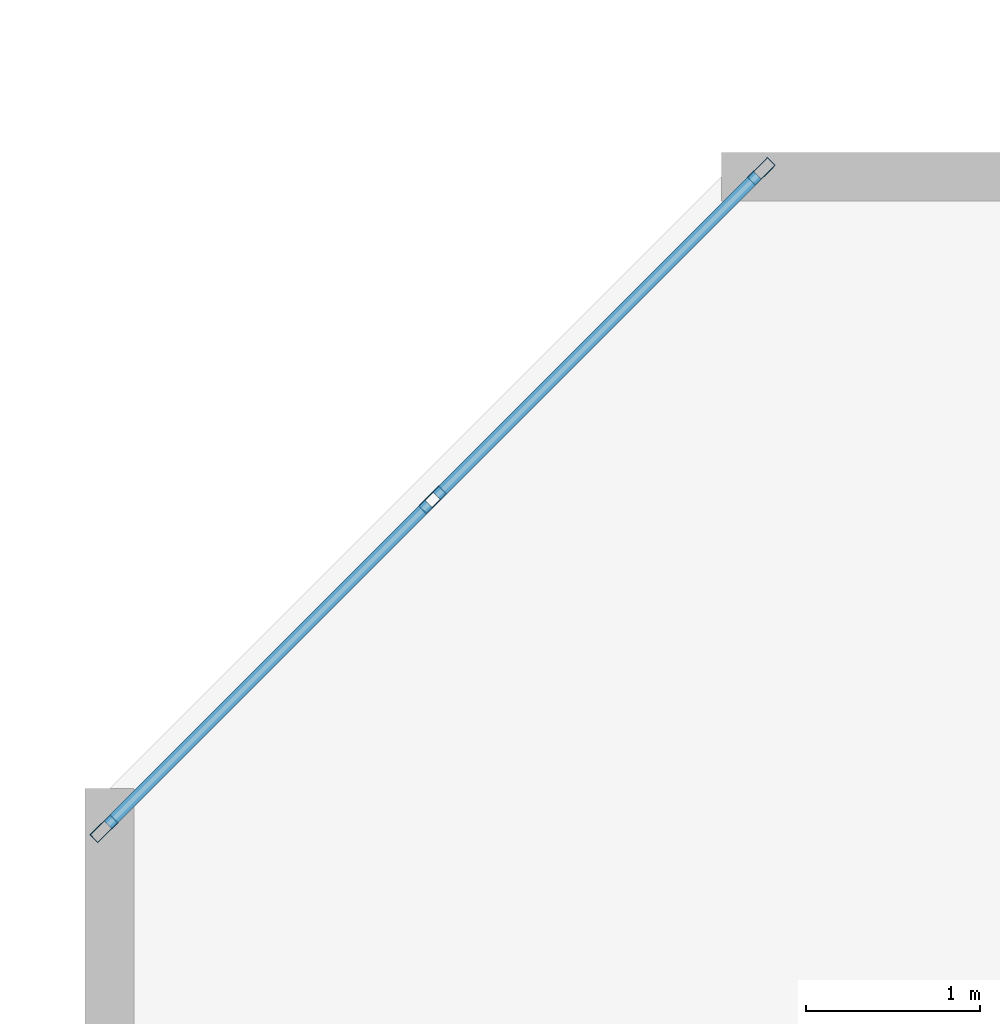
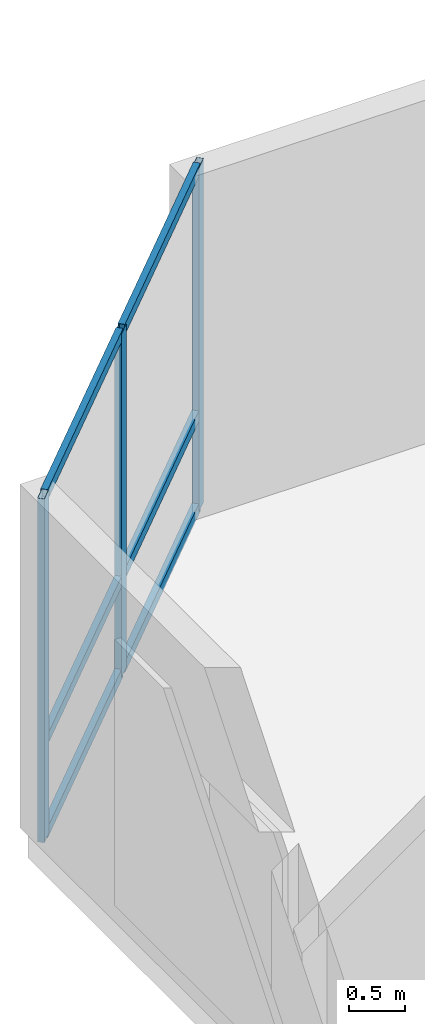
# One storey, part 2 of 10: 9 members, 1 element without a shape of its own.
"""IFC4 building model written with IfcOpenShell, lengths in metres."""

from ifc_helpers import new_model, si_unit, direction, frame, origin, origin_2d, place, context, subcontext, project, spatial, hollow_rectangle, extrude, material, layer, layer_set, material_profile, profile_set, type_object, element, aggregate, save


model = new_model("IFC4")

# Units and contexts
model_context = context("Model", 3, precision=1e-05, world=origin(), true_north=direction((0.0, 1.0)))
body_context = subcontext(model_context, "Body", "Model", "MODEL_VIEW")
ifc_project = project(units=[si_unit("LENGTHUNIT", "METRE"), si_unit("AREAUNIT", "SQUARE_METRE"), si_unit("VOLUMEUNIT", "CUBIC_METRE"), si_unit("PLANEANGLEUNIT", "RADIAN"), si_unit("MASSUNIT", "GRAM", prefix="KILO")], contexts=[model_context])

# Site, building, storey
site_placement = place(None, origin())
site = spatial("IfcSite", under=ifc_project, at=site_placement, CompositionType="ELEMENT")
building_placement = place(site_placement, origin())
building = spatial("IfcBuilding", under=site, at=building_placement, Name="Kestravale Grand Hotel", CompositionType="ELEMENT")
storey_placement = place(building_placement, frame((0.0, 0.0, 269.39990234375)))
storey = spatial("IfcBuildingStorey", under=building, at=storey_placement, Name="L67", CompositionType="ELEMENT", Elevation=269.39990234375)

# Curtain wall, members
ifc_material_1 = material(Name="Thermally broken champagne-bronze aluminium and low-E glazing", Category="aluminium")
ifc_layer = layer(ifc_material_1, 0.179931640625)
ifc_layer_set = layer_set([ifc_layer], Name="CW-Z4")
curtain_wall_type = type_object("IfcCurtainWallType", Name="CW-Z4", PredefinedType="NOTDEFINED", material=ifc_layer_set)
curtain_wall_placement = place(storey_placement, origin())
curtain_wall = element("IfcCurtainWall", 1, at=curtain_wall_placement, inside=storey, type_object=curtain_wall_type, Name="L67 unitised curtain wall 18", PredefinedType="NOTDEFINED")
ifc_material_2 = material(Name="Aluminium 6063-T6 anodised", Category="aluminium")
ifc_material_profile_1 = material_profile(ifc_material_2, hollow_rectangle(XDim=0.06494140625, YDim=0.1650390625, WallThickness=0.00341796875, at=origin_2d()))
ifc_profile_set_1 = profile_set([ifc_material_profile_1], Name="Aluminium 6063-T6 anodised")
member_type_1 = type_object("IfcMemberType", Name="CW-MUL-165", PredefinedType="MULLION", material=ifc_profile_set_1)
member_1_placement = place(storey_placement, frame((11.690185546875, 44.59228515625, 0.0), z_axis=(0.0, 0.0, 1.0), x_axis=(0.707106781187, -0.707106781187, 0.0)))
member_1 = element("IfcMember", 2, at=member_1_placement, type_object=member_type_1, Name="CW-Z4 mullion 1", PredefinedType="MULLION", context=body_context, shape_type="SweptSolid", body=[
    extrude(hollow_rectangle(XDim=0.06494140625, YDim=0.1650390625, WallThickness=0.00341796875, at=origin_2d()), origin(), (0.0, 0.0, 1.0), 3.760009765625),
])
member_2_placement = place(storey_placement, frame((9.799072265625, 42.700927734375, 0.0), z_axis=(0.0, 0.0, 1.0), x_axis=(0.707106781187, -0.707106781187, 0.0)))
member_2 = element("IfcMember", 3, at=member_2_placement, type_object=member_type_1, Name="CW-Z4 mullion 2", PredefinedType="MULLION", context=body_context, shape_type="SweptSolid", body=[
    extrude(hollow_rectangle(XDim=0.06494140625, YDim=0.1650390625, WallThickness=0.00341796875, at=origin_2d()), origin(), (0.0, 0.0, 1.0), 3.760009765625),
])
member_3_placement = place(storey_placement, frame((7.90771484375, 40.809814453125, 0.0), z_axis=(0.0, 0.0, 1.0), x_axis=(0.707106781187, -0.707106781187, 0.0)))
member_3 = element("IfcMember", 4, at=member_3_placement, type_object=member_type_1, Name="CW-Z4 mullion 3", PredefinedType="MULLION", context=body_context, shape_type="SweptSolid", body=[
    extrude(hollow_rectangle(XDim=0.06494140625, YDim=0.1650390625, WallThickness=0.00341796875, at=origin_2d()), origin(), (0.0, 0.0, 1.0), 3.760009765625),
])
ifc_material_3 = material(Name="Aluminium 6063-T6 anodised", Category="aluminium")
ifc_material_profile_2 = material_profile(ifc_material_3, hollow_rectangle(XDim=0.06494140625, YDim=0.114990234375, WallThickness=0.003173828125, at=origin_2d()))
ifc_profile_set_2 = profile_set([ifc_material_profile_2], Name="Aluminium 6063-T6 anodised")
member_type_2 = type_object("IfcMemberType", Name="CW-TRN-115", PredefinedType="USERDEFINED", material=ifc_profile_set_2)
member_4_placement = place(storey_placement, frame((11.667236328125, 44.5693359375, 0.03271484375), z_axis=(-0.707060004037, -0.707153555242, 0.0), x_axis=(0.707153555242, -0.707060004037, 0.0)))
member_4 = element("IfcMember", 5, at=member_4_placement, type_object=member_type_2, Name="CW-Z4 transom 1.1", ObjectType="TRANSOM", PredefinedType="USERDEFINED", context=body_context, shape_type="SweptSolid", body=[
    extrude(hollow_rectangle(XDim=0.06494140625, YDim=0.114990234375, WallThickness=0.003173828125, at=origin_2d()), origin(), (0.0, 0.0, 1.0), 2.609619140625),
])
member_5_placement = place(storey_placement, frame((11.667236328125, 44.5693359375, 1.050048828125), z_axis=(-0.707060004037, -0.707153555242, 0.0), x_axis=(0.707153555242, -0.707060004037, 0.0)))
member_5 = element("IfcMember", 6, at=member_5_placement, type_object=member_type_2, Name="CW-Z4 transom 1.2", ObjectType="TRANSOM", PredefinedType="USERDEFINED", context=body_context, shape_type="SweptSolid", body=[
    extrude(hollow_rectangle(XDim=0.06494140625, YDim=0.114990234375, WallThickness=0.003173828125, at=origin_2d()), origin(), (0.0, 0.0, 1.0), 2.609619140625),
])
member_6_placement = place(storey_placement, frame((11.667236328125, 44.5693359375, 3.7275390625), z_axis=(-0.707060004037, -0.707153555242, 0.0), x_axis=(0.707153555242, -0.707060004037, 0.0)))
member_6 = element("IfcMember", 7, at=member_6_placement, type_object=member_type_2, Name="CW-Z4 transom 1.3", ObjectType="TRANSOM", PredefinedType="USERDEFINED", context=body_context, shape_type="SweptSolid", body=[
    extrude(hollow_rectangle(XDim=0.06494140625, YDim=0.114990234375, WallThickness=0.003173828125, at=origin_2d()), origin(), (0.0, 0.0, 1.0), 2.609619140625),
])
member_7_placement = place(storey_placement, frame((9.776123046875, 42.677978515625, 0.03271484375), z_axis=(-0.707153555242, -0.707060004037, 0.0), x_axis=(0.707060004037, -0.707153555242, 0.0)))
member_7 = element("IfcMember", 8, at=member_7_placement, type_object=member_type_2, Name="CW-Z4 transom 2.1", ObjectType="TRANSOM", PredefinedType="USERDEFINED", context=body_context, shape_type="SweptSolid", body=[
    extrude(hollow_rectangle(XDim=0.06494140625, YDim=0.114990234375, WallThickness=0.003173828125, at=origin_2d()), origin(), (0.0, 0.0, 1.0), 2.609619140625),
])
member_8_placement = place(storey_placement, frame((9.776123046875, 42.677978515625, 1.050048828125), z_axis=(-0.707153555242, -0.707060004037, 0.0), x_axis=(0.707060004037, -0.707153555242, 0.0)))
member_8 = element("IfcMember", 9, at=member_8_placement, type_object=member_type_2, Name="CW-Z4 transom 2.2", ObjectType="TRANSOM", PredefinedType="USERDEFINED", context=body_context, shape_type="SweptSolid", body=[
    extrude(hollow_rectangle(XDim=0.06494140625, YDim=0.114990234375, WallThickness=0.003173828125, at=origin_2d()), origin(), (0.0, 0.0, 1.0), 2.609619140625),
])
member_9_placement = place(storey_placement, frame((9.776123046875, 42.677978515625, 3.7275390625), z_axis=(-0.707153555242, -0.707060004037, 0.0), x_axis=(0.707060004037, -0.707153555242, 0.0)))
member_9 = element("IfcMember", 10, at=member_9_placement, type_object=member_type_2, Name="CW-Z4 transom 2.3", ObjectType="TRANSOM", PredefinedType="USERDEFINED", context=body_context, shape_type="SweptSolid", body=[
    extrude(hollow_rectangle(XDim=0.06494140625, YDim=0.114990234375, WallThickness=0.003173828125, at=origin_2d()), origin(), (0.0, 0.0, 1.0), 2.609619140625),
])
aggregate(curtain_wall, [member_1, member_2, member_3, member_4, member_5, member_6, member_7, member_8, member_9])

save(model, "model.ifc")
